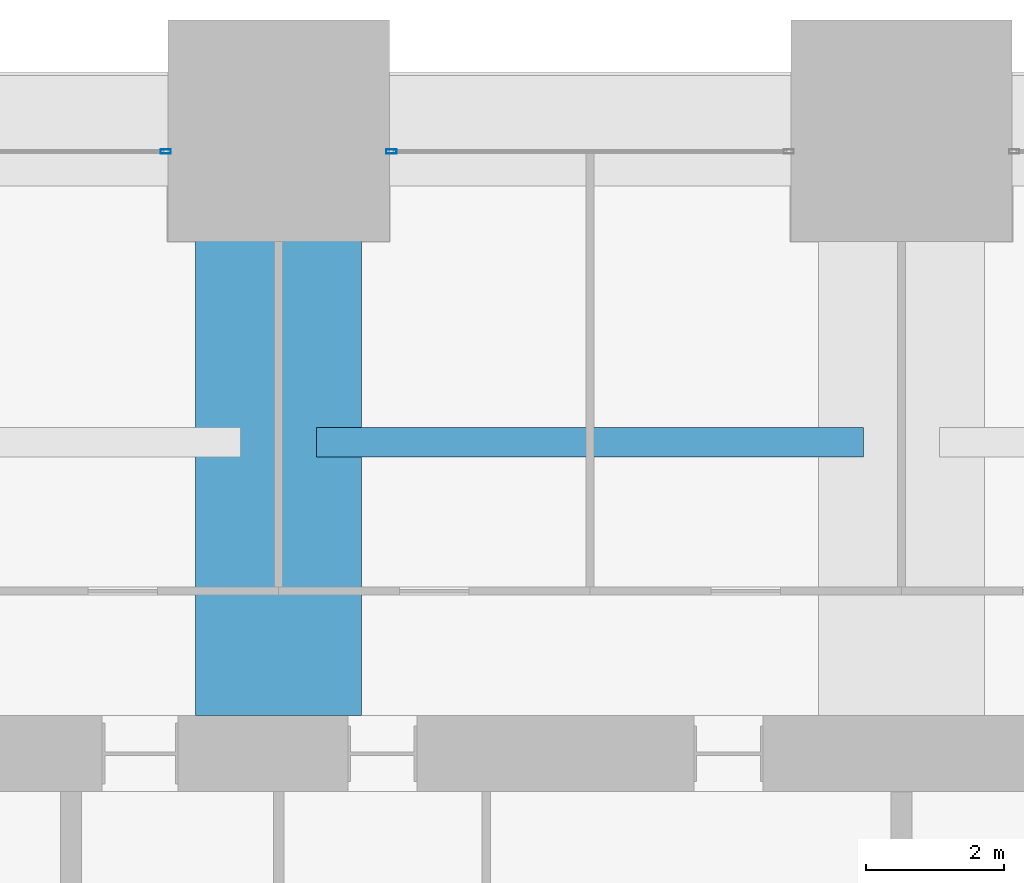
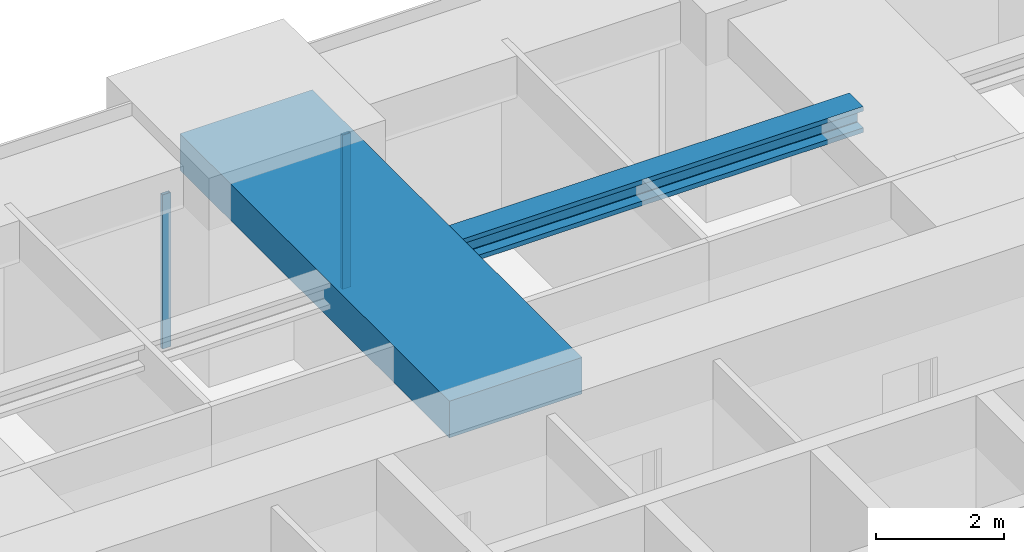
# One storey, part 25 of 36: 2 beams, 2 members, 2 elements without a shape of their own.
"""IFC4 building model written with IfcOpenShell, lengths in metres."""

from ifc_helpers import new_model, si_unit, direction, frame, origin, origin_2d, place, context, subcontext, project, spatial, rectangle, hollow_rectangle, i_section, extrude, material, material_profile, profile_set, type_object, element, aggregate, save


model = new_model("IFC4")

# Units and contexts
model_context = context("Model", 3, precision=1e-05, world=origin(), true_north=direction((0.0, 1.0)))
body_context = subcontext(model_context, "Body", "Model", "MODEL_VIEW")
ifc_project = project(units=[si_unit("LENGTHUNIT", "METRE"), si_unit("AREAUNIT", "SQUARE_METRE"), si_unit("VOLUMEUNIT", "CUBIC_METRE"), si_unit("PLANEANGLEUNIT", "RADIAN"), si_unit("MASSUNIT", "GRAM", prefix="KILO")], contexts=[model_context])

# Site, building, storey
site_placement = place(None, origin())
site = spatial("IfcSite", under=ifc_project, at=site_placement, CompositionType="ELEMENT")
building_placement = place(site_placement, origin())
building = spatial("IfcBuilding", under=site, at=building_placement, Name="Zorevar Civic Tower", CompositionType="ELEMENT")
storey_placement = place(building_placement, frame((0.0, 0.0, 166.199951171875)))
storey = spatial("IfcBuildingStorey", under=building, at=storey_placement, Name="L40", CompositionType="ELEMENT", Elevation=166.199951171875)

# Beam
ifc_material_1 = material(Name="Concrete C50/60", Category="concrete")
ifc_material_profile_1 = material_profile(ifc_material_1, rectangle(XDim=2.39990234375, YDim=0.699951171875, at=origin_2d()), Name="RC 2400x700")
ifc_profile_set_1 = profile_set([ifc_material_profile_1], Name="Concrete C50/60")
beam_type_1 = type_object("IfcBeamType", Name="Beam RC 2400x700", PredefinedType="BEAM", material=ifc_profile_set_1)
beam_1_placement = place(storey_placement, frame((27.0, 36.550048828125, 3.400146484375), z_axis=(0.0, 1.0, 0.0), x_axis=(-1.0, 0.0, 0.0)))
element("IfcBeam", 1, at=beam_1_placement, inside=storey, type_object=beam_type_1, Name="Girder L41", PredefinedType="BEAM", context=body_context, shape_type="SweptSolid", body=[
    extrude(rectangle(XDim=2.39990234375, YDim=0.699951171875, at=origin_2d()), origin(), (0.0, 0.0, 1.0), 8.449951171875),
])

# Curtain wall, member
ifc_material_2 = material(Name="Dark grey solar-control glass in black aluminium frame", Category="aluminium")
curtain_wall_type = type_object("IfcCurtainWallType", Name="Curtain wall CW4 high zone", PredefinedType="NOTDEFINED", material=ifc_material_2)
curtain_wall_1_placement = place(storey_placement, origin())
curtain_wall_1 = element("IfcCurtainWall", 2, at=curtain_wall_1_placement, inside=storey, type_object=curtain_wall_type, Name="CW4 L40", PredefinedType="NOTDEFINED")
ifc_material_3 = material(Name="Aluminium, black anodised", Category="aluminium")
ifc_material_profile_2 = material_profile(ifc_material_3, hollow_rectangle(XDim=0.06005859375, YDim=0.14990234375, WallThickness=0.00390625, at=origin_2d()), Name="AL 150x60x4")
ifc_profile_set_2 = profile_set([ifc_material_profile_2], Name="Aluminium, black anodised")
member_type = type_object("IfcMemberType", Name="CW4 mullion AL 150x60x4", PredefinedType="MULLION", material=ifc_profile_set_2)
member_1_placement = place(storey_placement, frame((25.3701171875, 44.699951171875, 0.0), z_axis=(0.0, 0.0, 1.0), x_axis=(0.0, 1.0, 0.0)))
member_1 = element("IfcMember", 3, at=member_1_placement, type_object=member_type, Name="CW4 mullion 2", PredefinedType="MULLION", context=body_context, shape_type="SweptSolid", body=[
    extrude(hollow_rectangle(XDim=0.06005859375, YDim=0.14990234375, WallThickness=0.00390625, at=origin_2d()), origin(), (0.0, 0.0, 1.0), 2.949951171875),
])
aggregate(curtain_wall_1, [member_1])

curtain_wall_2_placement = place(storey_placement, origin())
curtain_wall_2 = element("IfcCurtainWall", 4, at=curtain_wall_2_placement, inside=storey, type_object=curtain_wall_type, Name="CW4 L40", PredefinedType="NOTDEFINED")
member_2_placement = place(storey_placement, frame((28.6298828125, 44.699951171875, 0.0), z_axis=(0.0, 0.0, 1.0), x_axis=(0.0, 1.0, 0.0)))
member_2 = element("IfcMember", 5, at=member_2_placement, type_object=member_type, Name="CW4 mullion 1", PredefinedType="MULLION", context=body_context, shape_type="SweptSolid", body=[
    extrude(hollow_rectangle(XDim=0.06005859375, YDim=0.14990234375, WallThickness=0.00390625, at=origin_2d()), origin(), (0.0, 0.0, 1.0), 2.949951171875),
])
aggregate(curtain_wall_2, [member_2])

# Beam
ifc_material_4 = material(Name="Steel S460M (HISTAR 460)", Category="steel")
ifc_material_profile_3 = material_profile(ifc_material_4, i_section(OverallWidth=0.431884765625, OverallDepth=0.498046875, WebThickness=0.0556640625, FlangeThickness=0.0888671875, FilletRadius=0.014892578125, at=origin_2d()), Name="HD 400x744")
ifc_profile_set_3 = profile_set([ifc_material_profile_3], Name="Steel S460M (HISTAR 460)")
beam_type_2 = type_object("IfcBeamType", Name="Core bay beam HD 400x744", PredefinedType="BEAM", material=ifc_profile_set_3)
beam_2_placement = place(storey_placement, frame((27.550048828125, 40.5, 3.5009765625), z_axis=(1.0, 0.0, 0.0), x_axis=(0.0, 1.0, 0.0)))
element("IfcBeam", 6, at=beam_2_placement, inside=storey, type_object=beam_type_2, Name="Secondary beam L41", PredefinedType="BEAM", context=body_context, shape_type="SweptSolid", body=[
    extrude(i_section(OverallWidth=0.431884765625, OverallDepth=0.498046875, WebThickness=0.0556640625, FlangeThickness=0.0888671875, FilletRadius=0.014892578125, at=origin_2d()), origin(), (0.0, 0.0, 1.0), 7.89990234375),
])

save(model, "model.ifc")
